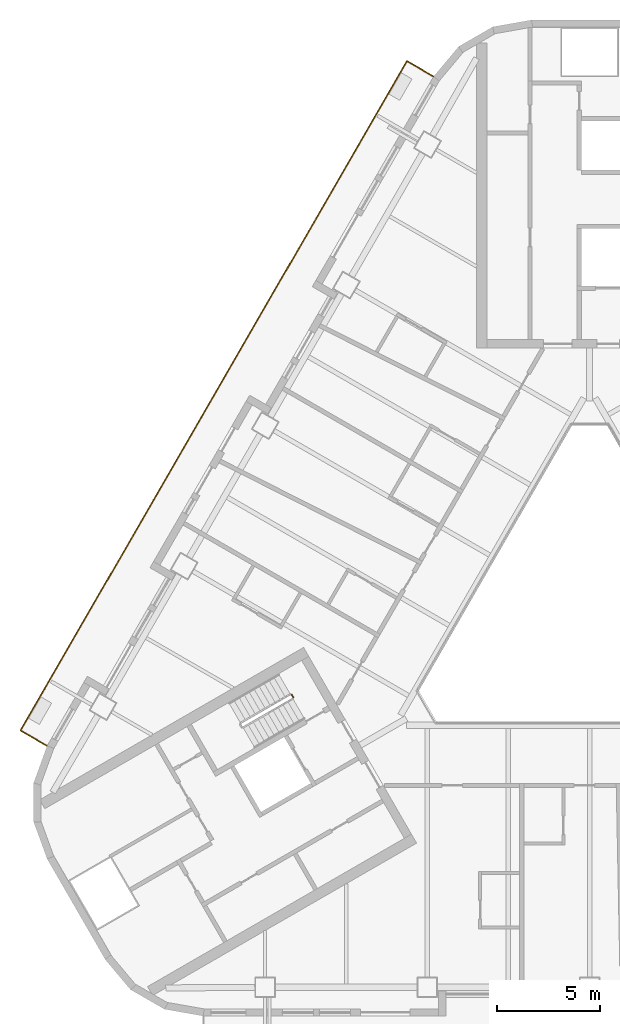
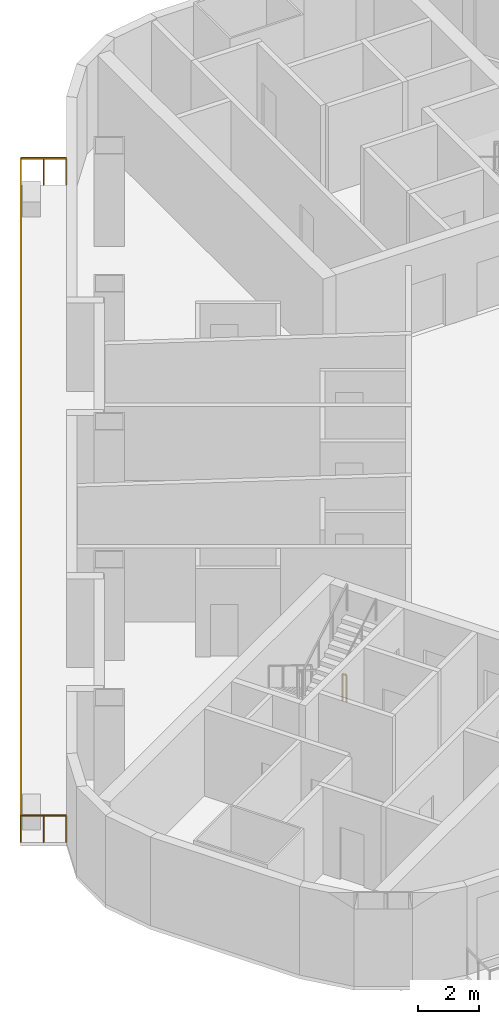
# One storey, part 11 of 14: 2 railings.
"""IFC4 building model written with IfcOpenShell, lengths in metres."""

from ifc_helpers import new_model, si_unit, direction, frame, origin, origin_2d, place, context, subcontext, project, spatial, rectangle, extrude, material, type_object, element, save


model = new_model("IFC4")

# Units and contexts
model_context = context("Model", 3, precision=1e-05, world=origin(), true_north=direction((0.0, 1.0)))
body_context = subcontext(model_context, "Body", "Model", "MODEL_VIEW")
ifc_project = project(units=[si_unit("LENGTHUNIT", "METRE"), si_unit("AREAUNIT", "SQUARE_METRE"), si_unit("VOLUMEUNIT", "CUBIC_METRE"), si_unit("PLANEANGLEUNIT", "RADIAN"), si_unit("MASSUNIT", "GRAM", prefix="KILO")], contexts=[model_context])

# Site, building, storey
site_placement = place(None, origin())
site = spatial("IfcSite", under=ifc_project, at=site_placement, CompositionType="ELEMENT")
building_placement = place(site_placement, origin())
building = spatial("IfcBuilding", under=site, at=building_placement, Name="Apuvela Tower Hotel", CompositionType="ELEMENT")
storey_placement = place(building_placement, frame((0.0, 0.0, 50.199951171875)))
storey = spatial("IfcBuildingStorey", under=building, at=storey_placement, Name="L09", CompositionType="ELEMENT", Elevation=50.199951171875)

# Railings
ifc_material_1 = material(Name="Steel S275 balustrade", Category="steel")
railing_type_1 = type_object("IfcRailingType", Name="COR-GUARD-1100", PredefinedType="GUARDRAIL", material=ifc_material_1)
railing_1_placement = place(storey_placement, frame((-14.500732421875, -3.984130859375, 0.0)))
element("IfcRailing", 1, at=railing_1_placement, inside=storey, type_object=railing_type_1, Name="L09 ST2 stair guard 4", PredefinedType="GUARDRAIL", context=body_context, shape_type="SweptSolid", body=[
    extrude(rectangle(XDim=0.048095703125, YDim=0.048095703125, at=origin_2d()), frame((0.0, 0.0, 1.076171875), z_axis=(0.499816412211, -0.866131372301, 0.0), x_axis=(0.866131372301, 0.499816412211, 0.0)), (0.0, 0.0, 1.0), 0.14990234375),
    extrude(rectangle(XDim=0.0419921875, YDim=0.0419921875, at=origin_2d()), origin(), (0.0, 0.0, 1.0), 1.052001953125),
    extrude(rectangle(XDim=0.0419921875, YDim=0.0419921875, at=origin_2d()), frame((0.074951171875, -0.1298828125, 0.0)), (0.0, 0.0, 1.0), 1.052001953125),
])
ifc_material_2 = material(Name="Stainless steel 316 rail with laminated glass infill", Category="steel")
railing_type_2 = type_object("IfcRailingType", Name="ENV-GUARD-1100", PredefinedType="GUARDRAIL", material=ifc_material_2)
railing_2_placement = place(storey_placement, frame((-7.59228515625, 26.110107421875, 0.0)))
element("IfcRailing", 2, at=railing_2_placement, inside=storey, type_object=railing_type_2, Name="Balcony guard NW L09", PredefinedType="GUARDRAIL", context=body_context, shape_type="SweptSolid", body=[
    extrude(rectangle(XDim=0.050048828125, YDim=0.050048828125, at=origin_2d()), frame((0.0, 0.0, 1.0751953125), z_axis=(-0.86599040064, 0.500060622324, 0.0), x_axis=(-0.500060622324, -0.86599040064, 0.0)), (0.0, 0.0, 1.0), 1.499755859375),
    extrude(rectangle(XDim=0.050048828125, YDim=0.050048828125, at=origin_2d()), frame((-1.298828125, 0.75, 1.0751953125), z_axis=(-0.500000437506, -0.86602515119, 0.0), x_axis=(0.86602515119, -0.500000437506, 0.0)), (0.0, 0.0, 1.0), 37.6318359375),
    extrude(rectangle(XDim=0.050048828125, YDim=0.050048828125, at=origin_2d()), frame((-20.11474609375, -31.840087890625, 1.0751953125), z_axis=(0.866031096941, -0.499990139034, 0.0), x_axis=(0.499990139034, 0.866031096941, 0.0)), (0.0, 0.0, 1.0), 1.5),
    extrude(rectangle(XDim=0.0400390625, YDim=0.0400390625, at=origin_2d()), origin(), (0.0, 0.0, 1.0), 1.050048828125),
    extrude(rectangle(XDim=0.0400390625, YDim=0.0400390625, at=origin_2d()), frame((-0.6494140625, 0.375, 0.0)), (0.0, 0.0, 1.0), 1.050048828125),
    extrude(rectangle(XDim=0.0400390625, YDim=0.0400390625, at=origin_2d()), frame((-1.298828125, 0.75, 0.0)), (0.0, 0.0, 1.0), 1.050048828125),
    extrude(rectangle(XDim=0.0400390625, YDim=0.0400390625, at=origin_2d()), frame((-1.88671875, -0.2685546875, 0.0)), (0.0, 0.0, 1.0), 1.050048828125),
    extrude(rectangle(XDim=0.0400390625, YDim=0.0400390625, at=origin_2d()), frame((-2.474853515625, -1.286865234375, 0.0)), (0.0, 0.0, 1.0), 1.050048828125),
    extrude(rectangle(XDim=0.0400390625, YDim=0.0400390625, at=origin_2d()), frame((-3.062744140625, -2.305419921875, 0.0)), (0.0, 0.0, 1.0), 1.050048828125),
    extrude(rectangle(XDim=0.0400390625, YDim=0.0400390625, at=origin_2d()), frame((-3.65087890625, -3.32373046875, 0.0)), (0.0, 0.0, 1.0), 1.050048828125),
    extrude(rectangle(XDim=0.0400390625, YDim=0.0400390625, at=origin_2d()), frame((-4.23876953125, -4.34228515625, 0.0)), (0.0, 0.0, 1.0), 1.050048828125),
    extrude(rectangle(XDim=0.0400390625, YDim=0.0400390625, at=origin_2d()), frame((-4.826904296875, -5.360595703125, 0.0)), (0.0, 0.0, 1.0), 1.050048828125),
    extrude(rectangle(XDim=0.0400390625, YDim=0.0400390625, at=origin_2d()), frame((-5.414794921875, -6.379150390625, 0.0)), (0.0, 0.0, 1.0), 1.050048828125),
    extrude(rectangle(XDim=0.0400390625, YDim=0.0400390625, at=origin_2d()), frame((-6.0029296875, -7.3974609375, 0.0)), (0.0, 0.0, 1.0), 1.050048828125),
    extrude(rectangle(XDim=0.0400390625, YDim=0.0400390625, at=origin_2d()), frame((-6.5908203125, -8.416015625, 0.0)), (0.0, 0.0, 1.0), 1.050048828125),
    extrude(rectangle(XDim=0.0400390625, YDim=0.0400390625, at=origin_2d()), frame((-7.1787109375, -9.434326171875, 0.0)), (0.0, 0.0, 1.0), 1.050048828125),
    extrude(rectangle(XDim=0.0400390625, YDim=0.0400390625, at=origin_2d()), frame((-7.766845703125, -10.452880859375, 0.0)), (0.0, 0.0, 1.0), 1.050048828125),
    extrude(rectangle(XDim=0.0400390625, YDim=0.0400390625, at=origin_2d()), frame((-8.354736328125, -11.47119140625, 0.0)), (0.0, 0.0, 1.0), 1.050048828125),
    extrude(rectangle(XDim=0.0400390625, YDim=0.0400390625, at=origin_2d()), frame((-8.94287109375, -12.48974609375, 0.0)), (0.0, 0.0, 1.0), 1.050048828125),
    extrude(rectangle(XDim=0.0400390625, YDim=0.0400390625, at=origin_2d()), frame((-9.53076171875, -13.508056640625, 0.0)), (0.0, 0.0, 1.0), 1.050048828125),
    extrude(rectangle(XDim=0.0400390625, YDim=0.0400390625, at=origin_2d()), frame((-10.118896484375, -14.526611328125, 0.0)), (0.0, 0.0, 1.0), 1.050048828125),
    extrude(rectangle(XDim=0.0400390625, YDim=0.0400390625, at=origin_2d()), frame((-10.706787109375, -15.544921875, 0.0)), (0.0, 0.0, 1.0), 1.050048828125),
    extrude(rectangle(XDim=0.0400390625, YDim=0.0400390625, at=origin_2d()), frame((-11.294677734375, -16.5634765625, 0.0)), (0.0, 0.0, 1.0), 1.050048828125),
    extrude(rectangle(XDim=0.0400390625, YDim=0.0400390625, at=origin_2d()), frame((-11.8828125, -17.58203125, 0.0)), (0.0, 0.0, 1.0), 1.050048828125),
    extrude(rectangle(XDim=0.0400390625, YDim=0.0400390625, at=origin_2d()), frame((-12.470703125, -18.600341796875, 0.0)), (0.0, 0.0, 1.0), 1.050048828125),
    extrude(rectangle(XDim=0.0400390625, YDim=0.0400390625, at=origin_2d()), frame((-13.058837890625, -19.618896484375, 0.0)), (0.0, 0.0, 1.0), 1.050048828125),
    extrude(rectangle(XDim=0.0400390625, YDim=0.0400390625, at=origin_2d()), frame((-13.646728515625, -20.63720703125, 0.0)), (0.0, 0.0, 1.0), 1.050048828125),
    extrude(rectangle(XDim=0.0400390625, YDim=0.0400390625, at=origin_2d()), frame((-14.23486328125, -21.65576171875, 0.0)), (0.0, 0.0, 1.0), 1.050048828125),
    extrude(rectangle(XDim=0.0400390625, YDim=0.0400390625, at=origin_2d()), frame((-14.82275390625, -22.674072265625, 0.0)), (0.0, 0.0, 1.0), 1.050048828125),
    extrude(rectangle(XDim=0.0400390625, YDim=0.0400390625, at=origin_2d()), frame((-15.41064453125, -23.692626953125, 0.0)), (0.0, 0.0, 1.0), 1.050048828125),
    extrude(rectangle(XDim=0.0400390625, YDim=0.0400390625, at=origin_2d()), frame((-15.998779296875, -24.7109375, 0.0)), (0.0, 0.0, 1.0), 1.050048828125),
    extrude(rectangle(XDim=0.0400390625, YDim=0.0400390625, at=origin_2d()), frame((-16.586669921875, -25.7294921875, 0.0)), (0.0, 0.0, 1.0), 1.050048828125),
    extrude(rectangle(XDim=0.0400390625, YDim=0.0400390625, at=origin_2d()), frame((-17.1748046875, -26.747802734375, 0.0)), (0.0, 0.0, 1.0), 1.050048828125),
    extrude(rectangle(XDim=0.0400390625, YDim=0.0400390625, at=origin_2d()), frame((-17.7626953125, -27.766357421875, 0.0)), (0.0, 0.0, 1.0), 1.050048828125),
    extrude(rectangle(XDim=0.0400390625, YDim=0.0400390625, at=origin_2d()), frame((-18.350830078125, -28.78466796875, 0.0)), (0.0, 0.0, 1.0), 1.050048828125),
    extrude(rectangle(XDim=0.0400390625, YDim=0.0400390625, at=origin_2d()), frame((-18.938720703125, -29.80322265625, 0.0)), (0.0, 0.0, 1.0), 1.050048828125),
    extrude(rectangle(XDim=0.0400390625, YDim=0.0400390625, at=origin_2d()), frame((-19.52685546875, -30.821533203125, 0.0)), (0.0, 0.0, 1.0), 1.050048828125),
    extrude(rectangle(XDim=0.0400390625, YDim=0.0400390625, at=origin_2d()), frame((-20.11474609375, -31.840087890625, 0.0)), (0.0, 0.0, 1.0), 1.050048828125),
    extrude(rectangle(XDim=0.0400390625, YDim=0.0400390625, at=origin_2d()), frame((-19.46533203125, -32.215087890625, 0.0)), (0.0, 0.0, 1.0), 1.050048828125),
    extrude(rectangle(XDim=0.0400390625, YDim=0.0400390625, at=origin_2d()), frame((-18.815673828125, -32.590087890625, 0.0)), (0.0, 0.0, 1.0), 1.050048828125),
])

save(model, "model.ifc")
